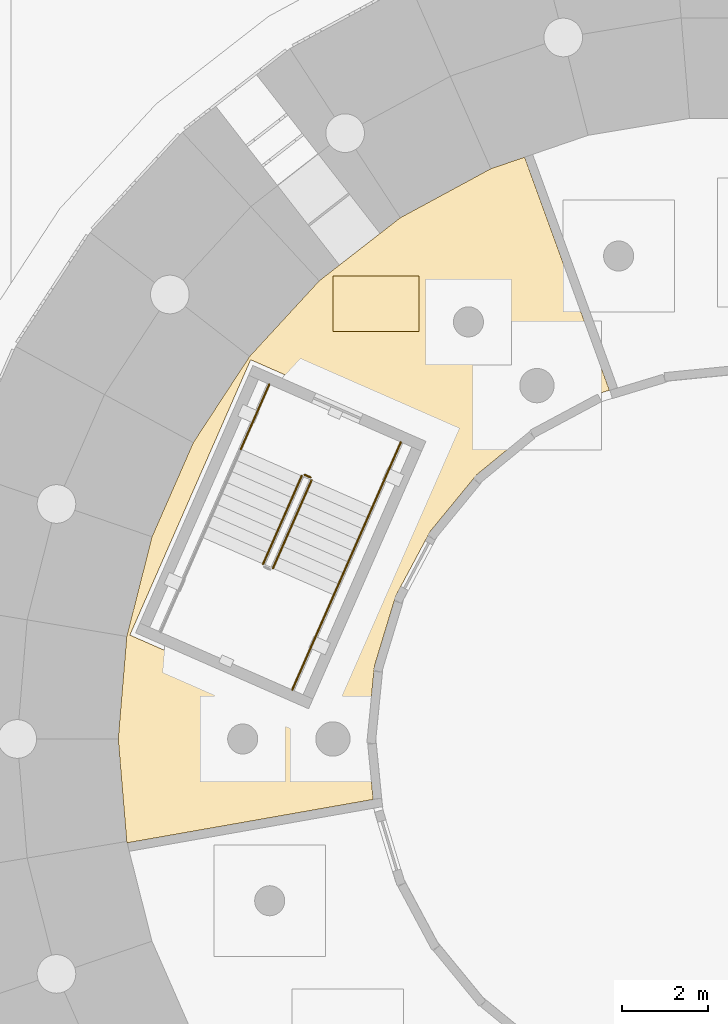
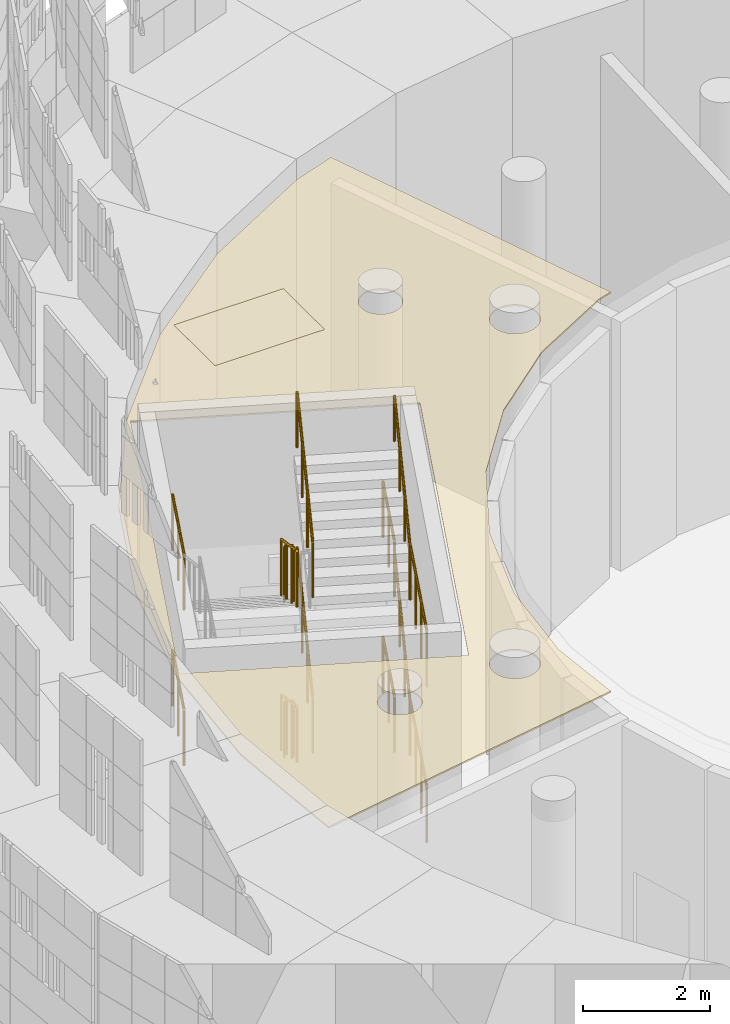
# One storey, part 121 of 125: 14 railings, 2 coverings.
"""IFC4 building model written with IfcOpenShell, lengths in metres."""

from ifc_helpers import new_model, si_unit, direction, frame, origin, origin_2d, place, context, subcontext, project, spatial, polyline, circle, outline, extrude, material, layer, layer_set, type_object, element, save


model = new_model("IFC4")

# Units and contexts
model_context = context("Model", 3, precision=1e-05, world=origin(), true_north=direction((0.0, 1.0)))
body_context = subcontext(model_context, "Body", "Model", "MODEL_VIEW")
ifc_project = project(units=[si_unit("LENGTHUNIT", "METRE"), si_unit("AREAUNIT", "SQUARE_METRE"), si_unit("VOLUMEUNIT", "CUBIC_METRE"), si_unit("PLANEANGLEUNIT", "RADIAN"), si_unit("MASSUNIT", "GRAM", prefix="KILO")], contexts=[model_context])

# Site, building, storey
site_placement = place(None, origin())
site = spatial("IfcSite", under=ifc_project, at=site_placement, CompositionType="ELEMENT")
building_placement = place(site_placement, origin())
building = spatial("IfcBuilding", under=site, at=building_placement, Name="Sun Court Science Centre", CompositionType="ELEMENT")
storey_placement = place(building_placement, origin())
storey = spatial("IfcBuildingStorey", under=building, at=storey_placement, Name="L00", CompositionType="ELEMENT", Elevation=0.0)

# Coverings
ifc_material_1 = material(Name="Gypsum board")
ifc_layer = layer(ifc_material_1, 0.030029296875)
ifc_layer_set = layer_set([ifc_layer], Name="Gypsum board")
covering_type = type_object("IfcCoveringType", Name="Ceiling suspended 600 module", PredefinedType="CEILING", material=ifc_layer_set)
covering_1_placement = place(storey_placement, frame((0.0, 0.0, 5.27001953125)))
element("IfcCovering", 1, at=covering_1_placement, inside=storey, type_object=covering_type, Name="L00-087 ceiling", PredefinedType="CEILING", context=body_context, shape_type="SweptSolid", body=[
    extrude(outline(polyline([(41.1806640625, 107.466796875), (43.0703125, 108.9375), (45.176025390625, 110.0771484375), (45.962890625, 110.34716796875), (47.938232421875, 104.91943359375), (47.67041015625, 104.838134765625), (46.166259765625, 104.0341796875), (44.847900390625, 102.9521484375), (43.765869140625, 101.6337890625), (42.9619140625, 100.12939453125), (42.466796875, 98.497314453125), (42.299560546875, 96.800048828125), (42.438232421875, 95.391845703125), (36.70751953125, 94.38134765625), (36.699462890625, 94.413818359375), (36.501708984375, 96.800048828125), (36.699462890625, 99.186279296875), (37.287353515625, 101.507568359375), (38.2490234375, 103.700439453125), (39.558837890625, 105.705078125), (41.1806640625, 107.466796875)]), holes=[polyline([(46.646484375, 105.07958984375), (46.642333984375, 105.105224609375), (46.636474609375, 105.130859375), (46.62890625, 105.15576171875), (46.61962890625, 105.180419921875), (46.608642578125, 105.2041015625), (46.596435546875, 105.227294921875), (46.58251953125, 105.24951171875), (46.5673828125, 105.270751953125), (46.55078125, 105.291015625), (46.53271484375, 105.31005859375), (46.513671875, 105.327880859375), (46.493408203125, 105.344482421875), (46.47216796875, 105.35986328125), (46.449951171875, 105.373779296875), (46.427001953125, 105.385986328125), (46.403076171875, 105.396728515625), (46.378662109375, 105.406005859375), (46.353515625, 105.41357421875), (46.327880859375, 105.419677734375), (46.30224609375, 105.423828125), (46.276123046875, 105.426513671875), (46.25, 105.42724609375), (46.223876953125, 105.426513671875), (46.19775390625, 105.423828125), (46.172119140625, 105.419677734375), (46.146484375, 105.41357421875), (46.121337890625, 105.406005859375), (46.096923828125, 105.396728515625), (46.072998046875, 105.385986328125), (46.050048828125, 105.373779296875), (46.02783203125, 105.35986328125), (46.006591796875, 105.344482421875), (45.986328125, 105.327880859375), (45.96728515625, 105.31005859375), (45.94921875, 105.291015625), (45.9326171875, 105.270751953125), (45.91748046875, 105.24951171875), (45.903564453125, 105.227294921875), (45.891357421875, 105.2041015625), (45.88037109375, 105.180419921875), (45.87109375, 105.15576171875), (45.863525390625, 105.130859375), (45.857666015625, 105.105224609375), (45.853515625, 105.07958984375), (45.850830078125, 105.053466796875), (45.85009765625, 105.027099609375), (45.850830078125, 105.001220703125), (45.853515625, 104.97509765625), (45.857666015625, 104.94921875), (45.863525390625, 104.923583984375), (45.87109375, 104.898681640625), (45.88037109375, 104.874267578125), (45.891357421875, 104.850341796875), (45.903564453125, 104.8271484375), (45.91748046875, 104.804931640625), (45.9326171875, 104.78369140625), (45.94921875, 104.763427734375), (45.96728515625, 104.744384765625), (45.986328125, 104.7265625), (46.006591796875, 104.7099609375), (46.02783203125, 104.694580078125), (46.050048828125, 104.680908203125), (46.072998046875, 104.66845703125), (46.096923828125, 104.65771484375), (46.121337890625, 104.6484375), (46.146484375, 104.640869140625), (46.172119140625, 104.635009765625), (46.19775390625, 104.630615234375), (46.223876953125, 104.628173828125), (46.25, 104.627197265625), (46.276123046875, 104.628173828125), (46.30224609375, 104.630615234375), (46.327880859375, 104.635009765625), (46.353515625, 104.640869140625), (46.378662109375, 104.6484375), (46.403076171875, 104.65771484375), (46.427001953125, 104.66845703125), (46.449951171875, 104.680908203125), (46.47216796875, 104.694580078125), (46.493408203125, 104.7099609375), (46.513671875, 104.7265625), (46.53271484375, 104.744384765625), (46.55078125, 104.763427734375), (46.5673828125, 104.78369140625), (46.58251953125, 104.804931640625), (46.596435546875, 104.8271484375), (46.608642578125, 104.850341796875), (46.61962890625, 104.874267578125), (46.62890625, 104.898681640625), (46.636474609375, 104.923583984375), (46.642333984375, 104.94921875), (46.646484375, 104.97509765625), (46.649169921875, 105.001220703125), (46.64990234375, 105.027099609375), (46.649169921875, 105.053466796875), (46.646484375, 105.07958984375)]), polyline([(45.00537109375, 106.510986328125), (45.004638671875, 106.533935546875), (45.00244140625, 106.556884765625), (44.998779296875, 106.579345703125), (44.993408203125, 106.601806640625), (44.98681640625, 106.62353515625), (44.978759765625, 106.64501953125), (44.96923828125, 106.666015625), (44.95849609375, 106.68603515625), (44.9462890625, 106.70556640625), (44.93310546875, 106.72412109375), (44.91845703125, 106.741943359375), (44.90283203125, 106.758544921875), (44.88623046875, 106.7744140625), (44.868408203125, 106.788818359375), (44.849853515625, 106.802001953125), (44.830322265625, 106.814208984375), (44.810302734375, 106.824951171875), (44.789306640625, 106.83447265625), (44.767822265625, 106.842529296875), (44.74609375, 106.84912109375), (44.7236328125, 106.8544921875), (44.701171875, 106.858154296875), (44.67822265625, 106.8603515625), (44.655517578125, 106.861083984375), (44.632568359375, 106.8603515625), (44.609619140625, 106.858154296875), (44.587158203125, 106.8544921875), (44.564697265625, 106.84912109375), (44.54296875, 106.842529296875), (44.521484375, 106.83447265625), (44.50048828125, 106.824951171875), (44.48046875, 106.814208984375), (44.4609375, 106.802001953125), (44.4423828125, 106.788818359375), (44.424560546875, 106.7744140625), (44.407958984375, 106.758544921875), (44.392333984375, 106.741943359375), (44.377685546875, 106.72412109375), (44.364501953125, 106.70556640625), (44.352294921875, 106.68603515625), (44.341552734375, 106.666015625), (44.33203125, 106.64501953125), (44.323974609375, 106.62353515625), (44.3173828125, 106.601806640625), (44.31201171875, 106.579345703125), (44.308349609375, 106.556884765625), (44.30615234375, 106.533935546875), (44.305419921875, 106.510986328125), (44.30615234375, 106.48828125), (44.308349609375, 106.46533203125), (44.31201171875, 106.44287109375), (44.3173828125, 106.42041015625), (44.323974609375, 106.398681640625), (44.33203125, 106.377197265625), (44.341552734375, 106.356201171875), (44.352294921875, 106.336181640625), (44.364501953125, 106.316650390625), (44.377685546875, 106.298095703125), (44.392333984375, 106.280517578125), (44.407958984375, 106.263671875), (44.424560546875, 106.248046875), (44.4423828125, 106.2333984375), (44.4609375, 106.22021484375), (44.48046875, 106.2080078125), (44.50048828125, 106.197265625), (44.521484375, 106.187744140625), (44.54296875, 106.1796875), (44.564697265625, 106.173095703125), (44.587158203125, 106.16796875), (44.609619140625, 106.1640625), (44.632568359375, 106.161865234375), (44.655517578125, 106.1611328125), (44.67822265625, 106.161865234375), (44.701171875, 106.1640625), (44.7236328125, 106.16796875), (44.74609375, 106.173095703125), (44.767822265625, 106.1796875), (44.789306640625, 106.187744140625), (44.810302734375, 106.197265625), (44.830322265625, 106.2080078125), (44.849853515625, 106.22021484375), (44.868408203125, 106.2333984375), (44.88623046875, 106.248046875), (44.90283203125, 106.263671875), (44.91845703125, 106.280517578125), (44.93310546875, 106.298095703125), (44.9462890625, 106.316650390625), (44.95849609375, 106.336181640625), (44.96923828125, 106.356201171875), (44.978759765625, 106.377197265625), (44.98681640625, 106.398681640625), (44.993408203125, 106.42041015625), (44.998779296875, 106.44287109375), (45.00244140625, 106.46533203125), (45.004638671875, 106.48828125), (45.00537109375, 106.510986328125)]), polyline([(39.585205078125, 105.62890625), (36.773193359375, 99.218505859375), (40.98583984375, 97.37060546875), (43.797607421875, 103.781005859375), (39.585205078125, 105.62890625)]), polyline([(41.501708984375, 106.2841796875), (43.501708984375, 106.2841796875), (43.501708984375, 107.584228515625), (41.501708984375, 107.584228515625), (41.501708984375, 106.2841796875)]), polyline([(41.892333984375, 96.721923828125), (41.896484375, 96.747802734375), (41.899169921875, 96.773681640625), (41.89990234375, 96.800048828125), (41.899169921875, 96.826171875), (41.896484375, 96.852294921875), (41.892333984375, 96.8779296875), (41.886474609375, 96.903564453125), (41.87890625, 96.9287109375), (41.86962890625, 96.953125), (41.858642578125, 96.976806640625), (41.846435546875, 97.0), (41.83251953125, 97.022216796875), (41.8173828125, 97.04345703125), (41.80078125, 97.063720703125), (41.78271484375, 97.082763671875), (41.763671875, 97.1005859375), (41.743408203125, 97.1171875), (41.72216796875, 97.132568359375), (41.699951171875, 97.146484375), (41.677001953125, 97.15869140625), (41.653076171875, 97.169677734375), (41.628662109375, 97.1787109375), (41.603515625, 97.186279296875), (41.577880859375, 97.1923828125), (41.55224609375, 97.196533203125), (41.526123046875, 97.19921875), (41.5, 97.199951171875), (41.473876953125, 97.19921875), (41.44775390625, 97.196533203125), (41.422119140625, 97.1923828125), (41.396484375, 97.186279296875), (41.371337890625, 97.1787109375), (41.346923828125, 97.169677734375), (41.322998046875, 97.15869140625), (41.300048828125, 97.146484375), (41.27783203125, 97.132568359375), (41.256591796875, 97.1171875), (41.236328125, 97.1005859375), (41.21728515625, 97.082763671875), (41.19921875, 97.063720703125), (41.1826171875, 97.04345703125), (41.16748046875, 97.022216796875), (41.153564453125, 97.0), (41.141357421875, 96.976806640625), (41.13037109375, 96.953125), (41.12109375, 96.9287109375), (41.113525390625, 96.903564453125), (41.107666015625, 96.8779296875), (41.103515625, 96.852294921875), (41.100830078125, 96.826171875), (41.10009765625, 96.800048828125), (41.100830078125, 96.773681640625), (41.103515625, 96.747802734375), (41.107666015625, 96.721923828125), (41.113525390625, 96.696533203125), (41.12109375, 96.67138671875), (41.13037109375, 96.64697265625), (41.141357421875, 96.623046875), (41.153564453125, 96.60009765625), (41.16748046875, 96.577880859375), (41.1826171875, 96.556396484375), (41.19921875, 96.536376953125), (41.21728515625, 96.51708984375), (41.236328125, 96.499267578125), (41.256591796875, 96.482666015625), (41.27783203125, 96.46728515625), (41.300048828125, 96.45361328125), (41.322998046875, 96.44140625), (41.346923828125, 96.430419921875), (41.371337890625, 96.421142578125), (41.396484375, 96.41357421875), (41.422119140625, 96.40771484375), (41.44775390625, 96.4033203125), (41.473876953125, 96.40087890625), (41.5, 96.39990234375), (41.526123046875, 96.40087890625), (41.55224609375, 96.4033203125), (41.577880859375, 96.40771484375), (41.603515625, 96.41357421875), (41.628662109375, 96.421142578125), (41.653076171875, 96.430419921875), (41.677001953125, 96.44140625), (41.699951171875, 96.45361328125), (41.72216796875, 96.46728515625), (41.743408203125, 96.482666015625), (41.763671875, 96.499267578125), (41.78271484375, 96.51708984375), (41.80078125, 96.536376953125), (41.8173828125, 96.556396484375), (41.83251953125, 96.577880859375), (41.846435546875, 96.60009765625), (41.858642578125, 96.623046875), (41.86962890625, 96.64697265625), (41.87890625, 96.67138671875), (41.886474609375, 96.696533203125), (41.892333984375, 96.721923828125)]), polyline([(39.738037109375, 96.70947265625), (39.743408203125, 96.731689453125), (39.7470703125, 96.75439453125), (39.749267578125, 96.777099609375), (39.75, 96.800048828125), (39.749267578125, 96.822998046875), (39.7470703125, 96.845703125), (39.743408203125, 96.868408203125), (39.738037109375, 96.890625), (39.7314453125, 96.91259765625), (39.723388671875, 96.933837890625), (39.7138671875, 96.954833984375), (39.703125, 96.97509765625), (39.69091796875, 96.994384765625), (39.677734375, 97.01318359375), (39.6630859375, 97.03076171875), (39.6474609375, 97.047607421875), (39.630859375, 97.06298828125), (39.613037109375, 97.07763671875), (39.594482421875, 97.091064453125), (39.574951171875, 97.10302734375), (39.5546875, 97.114013671875), (39.533935546875, 97.123291015625), (39.512451171875, 97.13134765625), (39.490478515625, 97.13818359375), (39.46826171875, 97.143310546875), (39.44580078125, 97.14697265625), (39.4228515625, 97.1494140625), (39.39990234375, 97.14990234375), (39.377197265625, 97.1494140625), (39.354248046875, 97.14697265625), (39.331787109375, 97.143310546875), (39.309326171875, 97.13818359375), (39.28759765625, 97.13134765625), (39.26611328125, 97.123291015625), (39.2451171875, 97.114013671875), (39.22509765625, 97.10302734375), (39.20556640625, 97.091064453125), (39.18701171875, 97.07763671875), (39.169189453125, 97.06298828125), (39.152587890625, 97.047607421875), (39.136962890625, 97.03076171875), (39.122314453125, 97.01318359375), (39.10888671875, 96.994384765625), (39.096923828125, 96.97509765625), (39.086181640625, 96.954833984375), (39.07666015625, 96.933837890625), (39.068603515625, 96.91259765625), (39.06201171875, 96.890625), (39.056640625, 96.868408203125), (39.052978515625, 96.845703125), (39.05078125, 96.822998046875), (39.050048828125, 96.800048828125), (39.05078125, 96.777099609375), (39.052978515625, 96.75439453125), (39.056640625, 96.731689453125), (39.06201171875, 96.70947265625), (39.068603515625, 96.6875), (39.07666015625, 96.666015625), (39.086181640625, 96.645263671875), (39.096923828125, 96.625), (39.10888671875, 96.605712890625), (39.122314453125, 96.5869140625), (39.136962890625, 96.569091796875), (39.152587890625, 96.552490234375), (39.169189453125, 96.536865234375), (39.18701171875, 96.522216796875), (39.20556640625, 96.509033203125), (39.22509765625, 96.496826171875), (39.2451171875, 96.486083984375), (39.26611328125, 96.4765625), (39.28759765625, 96.468505859375), (39.309326171875, 96.4619140625), (39.331787109375, 96.456787109375), (39.354248046875, 96.452880859375), (39.377197265625, 96.45068359375), (39.39990234375, 96.449951171875), (39.4228515625, 96.45068359375), (39.44580078125, 96.452880859375), (39.46826171875, 96.456787109375), (39.490478515625, 96.4619140625), (39.512451171875, 96.468505859375), (39.533935546875, 96.4765625), (39.5546875, 96.486083984375), (39.574951171875, 96.496826171875), (39.594482421875, 96.509033203125), (39.613037109375, 96.522216796875), (39.630859375, 96.536865234375), (39.6474609375, 96.552490234375), (39.6630859375, 96.569091796875), (39.677734375, 96.5869140625), (39.69091796875, 96.605712890625), (39.703125, 96.625), (39.7138671875, 96.645263671875), (39.723388671875, 96.666015625), (39.7314453125, 96.6875), (39.738037109375, 96.70947265625)])]), origin(), (0.0, 0.0, 1.0), 0.030029296875),
])
covering_2_placement = place(storey_placement, frame((0.0, 0.0, 5.27001953125)))
element("IfcCovering", 2, at=covering_2_placement, inside=storey, type_object=covering_type, Name="L00-090 ceiling", PredefinedType="CEILING", context=body_context, shape_type="SweptSolid", body=[
    extrude(outline(polyline([(43.501708984375, 107.584228515625), (43.501708984375, 106.2841796875), (41.501708984375, 106.2841796875), (41.501708984375, 107.584228515625), (43.501708984375, 107.584228515625)])), origin(), (0.0, 0.0, 1.0), 0.030029296875),
])

# Railings
ifc_material_2 = material(Name="Steel S275", Category="steel")
railing_type_1 = type_object("IfcRailingType", Name="Guard 1100 steel balustrade", PredefinedType="GUARDRAIL", material=ifc_material_2)
railing_1_placement = place(storey_placement, frame((40.7744140625, 102.925537109375, 0.166748046875)))
element("IfcRailing", 3, at=railing_1_placement, inside=storey, type_object=railing_type_1, Name="L00 PS2 stair guard 1", PredefinedType="GUARDRAIL", context=body_context, shape_type="SweptSolid", body=[
    extrude(circle(Radius=0.02392578125, at=origin_2d()), frame((0.0, 0.0, 1.076171875), z_axis=(-0.345221410229, -0.786910007797, 0.511463407829), x_axis=(0.915751630467, -0.401744883349, 0.0)), (0.0, 0.0, 1.0), 2.606689453125),
    extrude(circle(Radius=0.02099609375, at=origin_2d()), origin(), (0.0, 0.0, 1.0), 1.052001953125),
    extrude(circle(Radius=0.02099609375, at=origin_2d()), frame((-0.300048828125, -0.683837890625, 0.4443359375)), (0.0, 0.0, 1.0), 1.052001953125),
    extrude(circle(Radius=0.02099609375, at=origin_2d()), frame((-0.599853515625, -1.367431640625, 0.888916015625)), (0.0, 0.0, 1.0), 1.052001953125),
    extrude(circle(Radius=0.02099609375, at=origin_2d()), frame((-0.89990234375, -2.05126953125, 1.333251953125)), (0.0, 0.0, 1.0), 1.052001953125),
])
railing_2_placement = place(storey_placement, frame((41.52099609375, 100.15185546875, 1.5)))
element("IfcRailing", 4, at=railing_2_placement, inside=storey, type_object=railing_type_1, Name="L00 PS2 stair guard 4", PredefinedType="GUARDRAIL", context=body_context, shape_type="SweptSolid", body=[
    extrude(circle(Radius=0.02392578125, at=origin_2d()), frame((0.0, 0.0, 1.076171875), z_axis=(-0.401662984464, -0.915787555556, 0.0), x_axis=(0.915787555556, -0.401662984464, 0.0)), (0.0, 0.0, 1.0), 2.411865234375),
    extrude(circle(Radius=0.02099609375, at=origin_2d()), origin(), (0.0, 0.0, 1.0), 1.052001953125),
    extrude(circle(Radius=0.02099609375, at=origin_2d()), frame((-0.322998046875, -0.736328125, 0.0)), (0.0, 0.0, 1.0), 1.052001953125),
    extrude(circle(Radius=0.02099609375, at=origin_2d()), frame((-0.645751953125, -1.472412109375, 0.0)), (0.0, 0.0, 1.0), 1.052001953125),
    extrude(circle(Radius=0.02099609375, at=origin_2d()), frame((-0.96875, -2.208740234375, 0.0)), (0.0, 0.0, 1.0), 1.052001953125),
])
railing_3_placement = place(storey_placement, frame((40.103515625, 100.773681640625, 1.666748046875)))
element("IfcRailing", 5, at=railing_3_placement, inside=storey, type_object=railing_type_1, Name="L00 PS2 stair guard 5", PredefinedType="GUARDRAIL", context=body_context, shape_type="SweptSolid", body=[
    extrude(circle(Radius=0.02392578125, at=origin_2d()), frame((0.0, 0.0, 1.076171875), z_axis=(0.345113473575, 0.786971104056, 0.511442246728), x_axis=(-0.915809307039, 0.401613387652, 0.0)), (0.0, 0.0, 1.0), 2.60693359375),
    extrude(circle(Radius=0.02099609375, at=origin_2d()), origin(), (0.0, 0.0, 1.0), 1.052001953125),
    extrude(circle(Radius=0.02099609375, at=origin_2d()), frame((0.2998046875, 0.683837890625, 0.4443359375)), (0.0, 0.0, 1.0), 1.052001953125),
    extrude(circle(Radius=0.02099609375, at=origin_2d()), frame((0.599853515625, 1.36767578125, 0.888916015625)), (0.0, 0.0, 1.0), 1.052001953125),
    extrude(circle(Radius=0.02099609375, at=origin_2d()), frame((0.899658203125, 2.051513671875, 1.333251953125)), (0.0, 0.0, 1.0), 1.052001953125),
])
railing_4_placement = place(storey_placement, frame((40.840087890625, 102.951171875, 3.0)))
element("IfcRailing", 6, at=railing_4_placement, inside=storey, type_object=railing_type_1, Name="L00 PS2 stair guard 6", PredefinedType="GUARDRAIL", context=body_context, shape_type="SweptSolid", body=[
    extrude(circle(Radius=0.02392578125, at=origin_2d()), frame((0.0, 0.0, 1.076171875), z_axis=(0.915746217537, -0.401757221548, 0.0), x_axis=(0.401757221548, 0.915746217537, 0.0)), (0.0, 0.0, 1.0), 0.150146484375),
    extrude(circle(Radius=0.02099609375, at=origin_2d()), origin(), (0.0, 0.0, 1.0), 1.052001953125),
    extrude(circle(Radius=0.02099609375, at=origin_2d()), frame((0.137451171875, -0.060302734375, 0.0)), (0.0, 0.0, 1.0), 1.052001953125),
])
railing_5_placement = place(storey_placement, frame((40.018798828125, 105.056640625, 3.0)))
element("IfcRailing", 7, at=railing_5_placement, inside=storey, type_object=railing_type_1, Name="L00 PS2 stair guard 7", PredefinedType="GUARDRAIL", context=body_context, shape_type="SweptSolid", body=[
    extrude(circle(Radius=0.02392578125, at=origin_2d()), frame((0.0, 0.0, 1.076171875), z_axis=(-0.401735598305, -0.915755703807, 0.0), x_axis=(0.915755703807, -0.401735598305, 0.0)), (0.0, 0.0, 1.0), 1.648193359375),
    extrude(circle(Radius=0.02099609375, at=origin_2d()), origin(), (0.0, 0.0, 1.0), 1.052001953125),
    extrude(circle(Radius=0.02099609375, at=origin_2d()), frame((-0.3310546875, -0.754638671875, 0.0)), (0.0, 0.0, 1.0), 1.052001953125),
    extrude(circle(Radius=0.02099609375, at=origin_2d()), frame((-0.662109375, -1.50927734375, 0.0)), (0.0, 0.0, 1.0), 1.052001953125),
])
railing_6_placement = place(storey_placement, frame((43.082763671875, 103.71240234375, 3.0)))
element("IfcRailing", 8, at=railing_6_placement, inside=storey, type_object=railing_type_1, Name="L00 PS2 stair guard 8", PredefinedType="GUARDRAIL", context=body_context, shape_type="SweptSolid", body=[
    extrude(circle(Radius=0.02392578125, at=origin_2d()), frame((0.0, 0.0, 1.076171875), z_axis=(-0.401665855022, -0.915786296529, 0.0), x_axis=(0.915786296529, -0.401665855022, 0.0)), (0.0, 0.0, 1.0), 1.647705078125),
    extrude(circle(Radius=0.02099609375, at=origin_2d()), origin(), (0.0, 0.0, 1.0), 1.052001953125),
    extrude(circle(Radius=0.02099609375, at=origin_2d()), frame((-0.3310546875, -0.75439453125, 0.0)), (0.0, 0.0, 1.0), 1.052001953125),
    extrude(circle(Radius=0.02099609375, at=origin_2d()), frame((-0.661865234375, -1.509033203125, 0.0)), (0.0, 0.0, 1.0), 1.052001953125),
])
railing_7_placement = place(storey_placement, frame((40.7744140625, 102.925537109375, 3.166748046875)))
element("IfcRailing", 9, at=railing_7_placement, inside=storey, type_object=railing_type_1, Name="L00 PS2 stair guard 9", PredefinedType="GUARDRAIL", context=body_context, shape_type="SweptSolid", body=[
    extrude(circle(Radius=0.02392578125, at=origin_2d()), frame((0.0, 0.0, 1.076171875), z_axis=(-0.345221410229, -0.786910007797, 0.511463407829), x_axis=(0.915751630467, -0.401744883349, 0.0)), (0.0, 0.0, 1.0), 2.606689453125),
    extrude(circle(Radius=0.02099609375, at=origin_2d()), origin(), (0.0, 0.0, 1.0), 1.052001953125),
    extrude(circle(Radius=0.02099609375, at=origin_2d()), frame((-0.300048828125, -0.683837890625, 0.4443359375)), (0.0, 0.0, 1.0), 1.052001953125),
    extrude(circle(Radius=0.02099609375, at=origin_2d()), frame((-0.599853515625, -1.367431640625, 0.888916015625)), (0.0, 0.0, 1.0), 1.052001953125),
    extrude(circle(Radius=0.02099609375, at=origin_2d()), frame((-0.89990234375, -2.05126953125, 1.333251953125)), (0.0, 0.0, 1.0), 1.052001953125),
])
railing_8_placement = place(storey_placement, frame((41.52099609375, 100.15185546875, 4.5)))
element("IfcRailing", 10, at=railing_8_placement, inside=storey, type_object=railing_type_1, Name="L00 PS2 stair guard 12", PredefinedType="GUARDRAIL", context=body_context, shape_type="SweptSolid", body=[
    extrude(circle(Radius=0.02392578125, at=origin_2d()), frame((0.0, 0.0, 1.076171875), z_axis=(-0.401662984464, -0.915787555556, 0.0), x_axis=(0.915787555556, -0.401662984464, 0.0)), (0.0, 0.0, 1.0), 2.411865234375),
    extrude(circle(Radius=0.02099609375, at=origin_2d()), origin(), (0.0, 0.0, 1.0), 1.052001953125),
    extrude(circle(Radius=0.02099609375, at=origin_2d()), frame((-0.322998046875, -0.736328125, 0.0)), (0.0, 0.0, 1.0), 1.052001953125),
    extrude(circle(Radius=0.02099609375, at=origin_2d()), frame((-0.645751953125, -1.472412109375, 0.0)), (0.0, 0.0, 1.0), 1.052001953125),
    extrude(circle(Radius=0.02099609375, at=origin_2d()), frame((-0.96875, -2.208740234375, 0.0)), (0.0, 0.0, 1.0), 1.052001953125),
])
railing_9_placement = place(storey_placement, frame((40.103515625, 100.773681640625, 4.666748046875)))
element("IfcRailing", 11, at=railing_9_placement, inside=storey, type_object=railing_type_1, Name="L00 PS2 stair guard 13", PredefinedType="GUARDRAIL", context=body_context, shape_type="SweptSolid", body=[
    extrude(circle(Radius=0.02392578125, at=origin_2d()), frame((0.0, 0.0, 1.076171875), z_axis=(0.345113473575, 0.786971104056, 0.511442246728), x_axis=(-0.915809307039, 0.401613387652, 0.0)), (0.0, 0.0, 1.0), 2.60693359375),
    extrude(circle(Radius=0.02099609375, at=origin_2d()), origin(), (0.0, 0.0, 1.0), 1.052001953125),
    extrude(circle(Radius=0.02099609375, at=origin_2d()), frame((0.2998046875, 0.683837890625, 0.4443359375)), (0.0, 0.0, 1.0), 1.052001953125),
    extrude(circle(Radius=0.02099609375, at=origin_2d()), frame((0.599853515625, 1.36767578125, 0.888916015625)), (0.0, 0.0, 1.0), 1.052001953125),
    extrude(circle(Radius=0.02099609375, at=origin_2d()), frame((0.899658203125, 2.051513671875, 1.333251953125)), (0.0, 0.0, 1.0), 1.052001953125),
])
railing_10_placement = place(storey_placement, frame((40.840087890625, 102.951171875, 0.0)))
element("IfcRailing", 12, at=railing_10_placement, inside=storey, type_object=railing_type_1, Name="L00 PS2 stair guard 14", PredefinedType="GUARDRAIL", context=body_context, shape_type="SweptSolid", body=[
    extrude(circle(Radius=0.02392578125, at=origin_2d()), frame((0.0, 0.0, 1.076171875), z_axis=(0.915746217537, -0.401757221548, 0.0), x_axis=(0.401757221548, 0.915746217537, 0.0)), (0.0, 0.0, 1.0), 0.150146484375),
    extrude(circle(Radius=0.02099609375, at=origin_2d()), origin(), (0.0, 0.0, 1.0), 1.052001953125),
    extrude(circle(Radius=0.02099609375, at=origin_2d()), frame((0.137451171875, -0.060302734375, 0.0)), (0.0, 0.0, 1.0), 1.052001953125),
])
railing_11_placement = place(storey_placement, frame((40.018798828125, 105.056640625, 0.0)))
element("IfcRailing", 13, at=railing_11_placement, inside=storey, type_object=railing_type_1, Name="L00 PS2 stair guard 15", PredefinedType="GUARDRAIL", context=body_context, shape_type="SweptSolid", body=[
    extrude(circle(Radius=0.02392578125, at=origin_2d()), frame((0.0, 0.0, 1.076171875), z_axis=(-0.401735598305, -0.915755703807, 0.0), x_axis=(0.915755703807, -0.401735598305, 0.0)), (0.0, 0.0, 1.0), 1.648193359375),
    extrude(circle(Radius=0.02099609375, at=origin_2d()), origin(), (0.0, 0.0, 1.0), 1.052001953125),
    extrude(circle(Radius=0.02099609375, at=origin_2d()), frame((-0.3310546875, -0.754638671875, 0.0)), (0.0, 0.0, 1.0), 1.052001953125),
    extrude(circle(Radius=0.02099609375, at=origin_2d()), frame((-0.662109375, -1.50927734375, 0.0)), (0.0, 0.0, 1.0), 1.052001953125),
])
railing_12_placement = place(storey_placement, frame((43.082763671875, 103.71240234375, 0.0)))
element("IfcRailing", 14, at=railing_12_placement, inside=storey, type_object=railing_type_1, Name="L00 PS2 stair guard 16", PredefinedType="GUARDRAIL", context=body_context, shape_type="SweptSolid", body=[
    extrude(circle(Radius=0.02392578125, at=origin_2d()), frame((0.0, 0.0, 1.076171875), z_axis=(-0.401665855022, -0.915786296529, 0.0), x_axis=(0.915786296529, -0.401665855022, 0.0)), (0.0, 0.0, 1.0), 1.647705078125),
    extrude(circle(Radius=0.02099609375, at=origin_2d()), origin(), (0.0, 0.0, 1.0), 1.052001953125),
    extrude(circle(Radius=0.02099609375, at=origin_2d()), frame((-0.3310546875, -0.75439453125, 0.0)), (0.0, 0.0, 1.0), 1.052001953125),
    extrude(circle(Radius=0.02099609375, at=origin_2d()), frame((-0.661865234375, -1.509033203125, 0.0)), (0.0, 0.0, 1.0), 1.052001953125),
])
ifc_material_3 = material(Name="Stainless steel", Category="steel")
railing_type_2 = type_object("IfcRailingType", Name="Handrail 900 stainless", PredefinedType="HANDRAIL", material=ifc_material_3)
for number, where, name in (
    (15, (41.52099609375, 100.15185546875, 1.666748046875), "L00 PS2 stair handrail 2"),
    (16, (41.52099609375, 100.15185546875, 4.666748046875), "L00 PS2 stair handrail 4"),
):
    element("IfcRailing", number, at=place(storey_placement, frame(where)), inside=storey, type_object=railing_type_2, Name=name, PredefinedType="HANDRAIL", context=body_context, shape_type="SweptSolid", body=[
        extrude(circle(Radius=0.02392578125, at=origin_2d()), frame((0.0, 0.0, 0.8759765625), z_axis=(0.345195968711, 0.786945666055, 0.511425714902), x_axis=(-0.915769219044, 0.401704788932, 0.0)), (0.0, 0.0, 1.0), 2.60693359375),
        extrude(circle(Radius=0.02099609375, at=origin_2d()), origin(), (0.0, 0.0, 1.0), 0.851806640625),
        extrude(circle(Radius=0.02099609375, at=origin_2d()), frame((0.300048828125, 0.683837890625, 0.4443359375)), (0.0, 0.0, 1.0), 0.851806640625),
        extrude(circle(Radius=0.02099609375, at=origin_2d()), frame((0.599853515625, 1.36767578125, 0.888916015625)), (0.0, 0.0, 1.0), 0.851806640625),
        extrude(circle(Radius=0.02099609375, at=origin_2d()), frame((0.89990234375, 2.051513671875, 1.333251953125)), (0.0, 0.0, 1.0), 0.851806640625),
    ])

save(model, "model.ifc")
